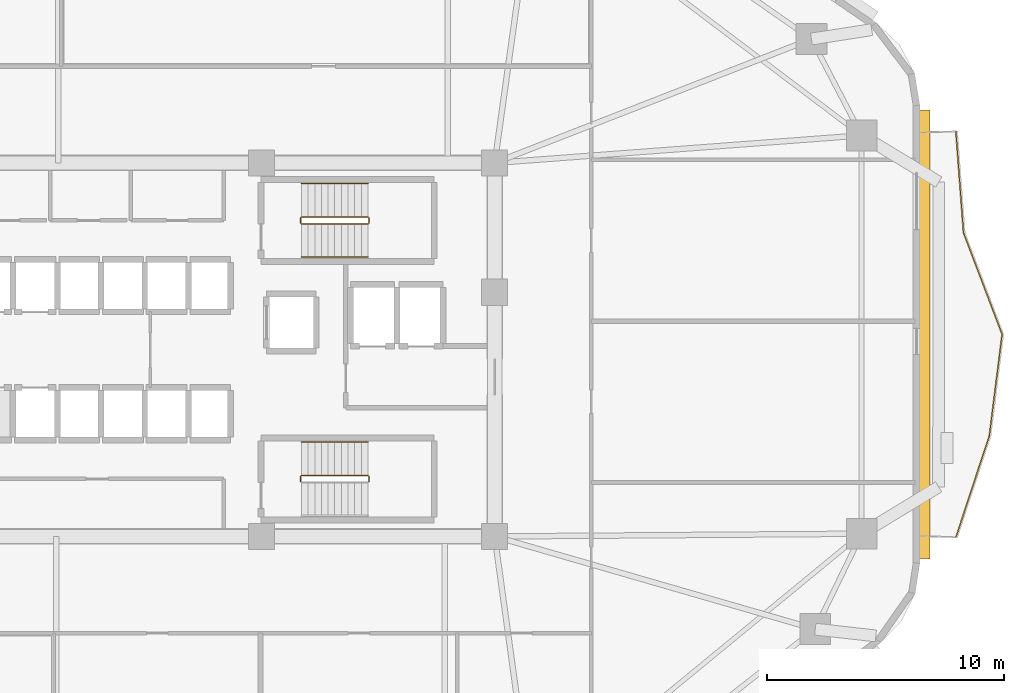
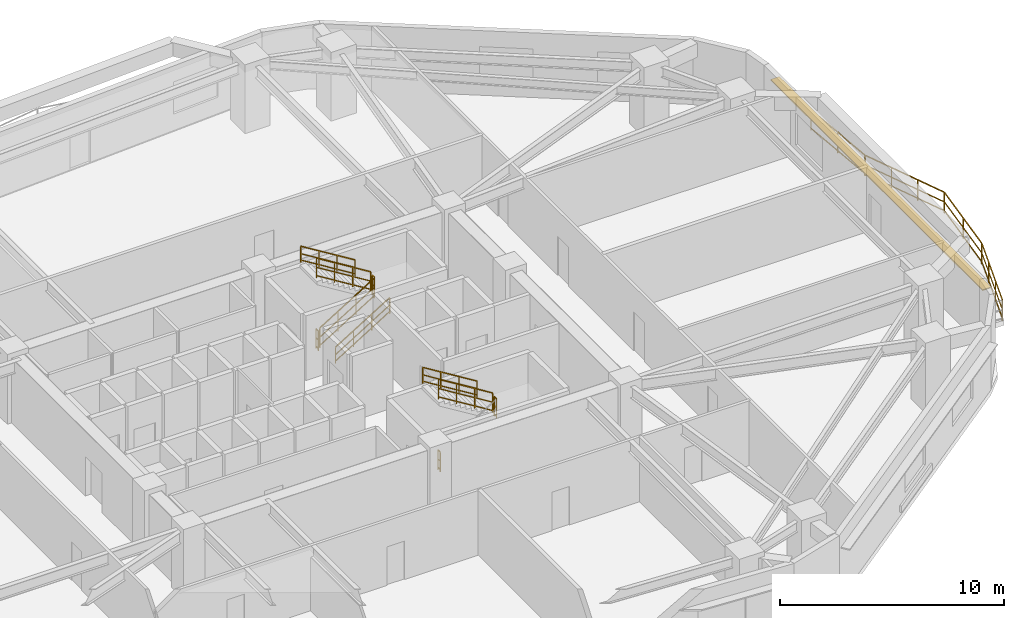
# One storey, part 8 of 10: 14 railings, 1 shading device.
"""IFC4 building model written with IfcOpenShell, lengths in metres."""

from ifc_helpers import new_model, si_unit, direction, frame, origin, origin_2d, place, context, subcontext, project, spatial, rectangle, extrude, material, layer, layer_set, type_object, element, save


model = new_model("IFC4")

# Units and contexts
model_context = context("Model", 3, precision=1e-05, world=origin(), true_north=direction((0.0, 1.0)))
body_context = subcontext(model_context, "Body", "Model", "MODEL_VIEW")
ifc_project = project(units=[si_unit("LENGTHUNIT", "METRE"), si_unit("AREAUNIT", "SQUARE_METRE"), si_unit("VOLUMEUNIT", "CUBIC_METRE"), si_unit("PLANEANGLEUNIT", "RADIAN"), si_unit("MASSUNIT", "GRAM", prefix="KILO")], contexts=[model_context])

# Site, building, storey
site_placement = place(None, origin())
site = spatial("IfcSite", under=ifc_project, at=site_placement, CompositionType="ELEMENT")
building_placement = place(site_placement, origin())
building = spatial("IfcBuilding", under=site, at=building_placement, Name="Zulverin Broadcast Headquarters", CompositionType="ELEMENT")
storey_placement = place(building_placement, frame((0.0, 0.0, 66.800048828125)))
storey = spatial("IfcBuildingStorey", under=building, at=storey_placement, Name="L16", CompositionType="ELEMENT", Elevation=66.800048828125)

# Railings
ifc_material_1 = material(Name="Brushed stainless steel & laminated glass balustrade", Category="steel")
railing_type_1 = type_object("IfcRailingType", Name="RL-GUARD-1150", PredefinedType="GUARDRAIL", material=ifc_material_1)
railing_1_placement = place(storey_placement, frame((67.724609375, 17.297607421875, 0.0)))
element("IfcRailing", 1, at=railing_1_placement, inside=storey, type_object=railing_type_1, Name="L16 Vertical-Forest Balcony Guardrail BAL_E Segment 02", PredefinedType="GUARDRAIL", context=body_context, shape_type="SweptSolid", body=[
    extrude(rectangle(XDim=0.048095703125, YDim=0.048095703125, at=origin_2d()), frame((0.0, 0.0, 1.1259765625), z_axis=(0.312955712624, 0.949767719991, 0.0), x_axis=(-0.949767719991, 0.312955712624, 0.0)), (0.0, 0.0, 1.0), 4.4794921875),
    extrude(rectangle(XDim=0.0419921875, YDim=0.0419921875, at=origin_2d()), frame((0.0, 0.0, 0.597900390625), z_axis=(0.312955712624, 0.949767719991, 0.0), x_axis=(-0.949767719991, 0.312955712624, 0.0)), (0.0, 0.0, 1.0), 4.4794921875),
    extrude(rectangle(XDim=0.0419921875, YDim=0.0419921875, at=origin_2d()), frame((0.0, 0.0, 0.1201171875), z_axis=(0.312955712624, 0.949767719991, 0.0), x_axis=(-0.949767719991, 0.312955712624, 0.0)), (0.0, 0.0, 1.0), 4.4794921875),
    extrude(rectangle(XDim=0.0419921875, YDim=0.0419921875, at=origin_2d()), origin(), (0.0, 0.0, 1.0), 1.101806640625),
    extrude(rectangle(XDim=0.0419921875, YDim=0.0419921875, at=origin_2d()), frame((0.46728515625, 1.418212890625, 0.0)), (0.0, 0.0, 1.0), 1.101806640625),
    extrude(rectangle(XDim=0.0419921875, YDim=0.0419921875, at=origin_2d()), frame((0.9345703125, 2.836181640625, 0.0)), (0.0, 0.0, 1.0), 1.101806640625),
    extrude(rectangle(XDim=0.0419921875, YDim=0.0419921875, at=origin_2d()), frame((1.40185546875, 4.25439453125, 0.0)), (0.0, 0.0, 1.0), 1.101806640625),
])
railing_2_placement = place(storey_placement, frame((69.133056640625, 21.5810546875, 0.0)))
element("IfcRailing", 2, at=railing_2_placement, inside=storey, type_object=railing_type_1, Name="L16 Vertical-Forest Balcony Guardrail BAL_E Segment 03", PredefinedType="GUARDRAIL", context=body_context, shape_type="SweptSolid", body=[
    extrude(rectangle(XDim=0.048095703125, YDim=0.048095703125, at=origin_2d()), frame((0.0, 0.0, 1.1259765625), z_axis=(0.124847851321, 0.99217589873, 0.0), x_axis=(-0.99217589873, 0.124847851321, 0.0)), (0.0, 0.0, 1.0), 4.286376953125),
    extrude(rectangle(XDim=0.0419921875, YDim=0.0419921875, at=origin_2d()), frame((0.0, 0.0, 0.597900390625), z_axis=(0.124847851321, 0.99217589873, 0.0), x_axis=(-0.99217589873, 0.124847851321, 0.0)), (0.0, 0.0, 1.0), 4.286376953125),
    extrude(rectangle(XDim=0.0419921875, YDim=0.0419921875, at=origin_2d()), frame((0.0, 0.0, 0.1201171875), z_axis=(0.124847851321, 0.99217589873, 0.0), x_axis=(-0.99217589873, 0.124847851321, 0.0)), (0.0, 0.0, 1.0), 4.286376953125),
    extrude(rectangle(XDim=0.0419921875, YDim=0.0419921875, at=origin_2d()), origin(), (0.0, 0.0, 1.0), 1.101806640625),
    extrude(rectangle(XDim=0.0419921875, YDim=0.0419921875, at=origin_2d()), frame((0.267578125, 2.12646484375, 0.0)), (0.0, 0.0, 1.0), 1.101806640625),
    extrude(rectangle(XDim=0.0419921875, YDim=0.0419921875, at=origin_2d()), frame((0.53515625, 4.2529296875, 0.0)), (0.0, 0.0, 1.0), 1.101806640625),
])
railing_3_placement = place(storey_placement, frame((69.664794921875, 25.86279296875, 0.0)))
element("IfcRailing", 3, at=railing_3_placement, inside=storey, type_object=railing_type_1, Name="L16 Vertical-Forest Balcony Guardrail BAL_E Segment 04", PredefinedType="GUARDRAIL", context=body_context, shape_type="SweptSolid", body=[
    extrude(rectangle(XDim=0.048095703125, YDim=0.048095703125, at=origin_2d()), frame((0.0, 0.0, 1.1259765625), z_axis=(-0.35546893997, 0.934688093813, 0.0), x_axis=(-0.934688093813, -0.35546893997, 0.0)), (0.0, 0.0, 1.0), 4.55224609375),
    extrude(rectangle(XDim=0.0419921875, YDim=0.0419921875, at=origin_2d()), frame((0.0, 0.0, 0.597900390625), z_axis=(-0.35546893997, 0.934688093813, 0.0), x_axis=(-0.934688093813, -0.35546893997, 0.0)), (0.0, 0.0, 1.0), 4.55224609375),
    extrude(rectangle(XDim=0.0419921875, YDim=0.0419921875, at=origin_2d()), frame((0.0, 0.0, 0.1201171875), z_axis=(-0.35546893997, 0.934688093813, 0.0), x_axis=(-0.934688093813, -0.35546893997, 0.0)), (0.0, 0.0, 1.0), 4.55224609375),
    extrude(rectangle(XDim=0.0419921875, YDim=0.0419921875, at=origin_2d()), origin(), (0.0, 0.0, 1.0), 1.101806640625),
    extrude(rectangle(XDim=0.0419921875, YDim=0.0419921875, at=origin_2d()), frame((-0.539306640625, 1.418212890625, 0.0)), (0.0, 0.0, 1.0), 1.101806640625),
    extrude(rectangle(XDim=0.0419921875, YDim=0.0419921875, at=origin_2d()), frame((-1.078857421875, 2.836669921875, 0.0)), (0.0, 0.0, 1.0), 1.101806640625),
    extrude(rectangle(XDim=0.0419921875, YDim=0.0419921875, at=origin_2d()), frame((-1.6181640625, 4.2548828125, 0.0)), (0.0, 0.0, 1.0), 1.101806640625),
])
railing_4_placement = place(storey_placement, frame((68.040283203125, 30.146728515625, 0.0)))
element("IfcRailing", 4, at=railing_4_placement, inside=storey, type_object=railing_type_1, Name="L16 Vertical-Forest Balcony Guardrail BAL_E Segment 05", PredefinedType="GUARDRAIL", context=body_context, shape_type="SweptSolid", body=[
    extrude(rectangle(XDim=0.048095703125, YDim=0.048095703125, at=origin_2d()), frame((0.0, 0.0, 1.1259765625), z_axis=(-0.074822681477, 0.997196854356, 0.0), x_axis=(-0.997196854356, -0.074822681477, 0.0)), (0.0, 0.0, 1.0), 4.2646484375),
    extrude(rectangle(XDim=0.0419921875, YDim=0.0419921875, at=origin_2d()), frame((0.0, 0.0, 0.597900390625), z_axis=(-0.074822681477, 0.997196854356, 0.0), x_axis=(-0.997196854356, -0.074822681477, 0.0)), (0.0, 0.0, 1.0), 4.2646484375),
    extrude(rectangle(XDim=0.0419921875, YDim=0.0419921875, at=origin_2d()), frame((0.0, 0.0, 0.1201171875), z_axis=(-0.074822681477, 0.997196854356, 0.0), x_axis=(-0.997196854356, -0.074822681477, 0.0)), (0.0, 0.0, 1.0), 4.2646484375),
    extrude(rectangle(XDim=0.0419921875, YDim=0.0419921875, at=origin_2d()), origin(), (0.0, 0.0, 1.0), 1.101806640625),
    extrude(rectangle(XDim=0.0419921875, YDim=0.0419921875, at=origin_2d()), frame((-0.15966796875, 2.12646484375, 0.0)), (0.0, 0.0, 1.0), 1.101806640625),
    extrude(rectangle(XDim=0.0419921875, YDim=0.0419921875, at=origin_2d()), frame((-0.319091796875, 4.252685546875, 0.0)), (0.0, 0.0, 1.0), 1.101806640625),
])
ifc_material_2 = material(Name="Painted galvanized steel tubular guardrail S355JR", Category="steel")
railing_type_2 = type_object("IfcRailingType", Name="RL-ST-GUARD", PredefinedType="GUARDRAIL", material=ifc_material_2)
railing_5_placement = place(storey_placement, frame((40.1298828125, 30.5, 0.172607421875)))
element("IfcRailing", 5, at=railing_5_placement, inside=storey, type_object=railing_type_2, Name="L16 ST-1 stair guard 1", PredefinedType="GUARDRAIL", context=body_context, shape_type="SweptSolid", body=[
    extrude(rectangle(XDim=0.048095703125, YDim=0.048095703125, at=origin_2d()), frame((0.0, 0.0, 1.076171875), z_axis=(0.851089632645, 0.0, 0.525020415988), x_axis=(0.0, 1.0, 0.0)), (0.0, 0.0, 1.0), 3.2900390625),
    extrude(rectangle(XDim=0.0419921875, YDim=0.0419921875, at=origin_2d()), frame((0.0, 0.0, 0.572021484375), z_axis=(0.851089632645, 0.0, 0.525020415988), x_axis=(0.0, 1.0, 0.0)), (0.0, 0.0, 1.0), 3.2900390625),
    extrude(rectangle(XDim=0.0419921875, YDim=0.0419921875, at=origin_2d()), frame((0.0, 0.0, 0.1201171875), z_axis=(0.851089632645, 0.0, 0.525020415988), x_axis=(0.0, 1.0, 0.0)), (0.0, 0.0, 1.0), 3.2900390625),
    extrude(rectangle(XDim=0.0419921875, YDim=0.0419921875, at=origin_2d()), origin(), (0.0, 0.0, 1.0), 1.052001953125),
    extrude(rectangle(XDim=0.0419921875, YDim=0.0419921875, at=origin_2d()), frame((0.933349609375, 0.0, 0.57568359375)), (0.0, 0.0, 1.0), 1.052001953125),
    extrude(rectangle(XDim=0.0419921875, YDim=0.0419921875, at=origin_2d()), frame((1.86669921875, 0.0, 1.151611328125)), (0.0, 0.0, 1.0), 1.052001953125),
    extrude(rectangle(XDim=0.0419921875, YDim=0.0419921875, at=origin_2d()), frame((2.800048828125, 0.0, 1.727294921875)), (0.0, 0.0, 1.0), 1.052001953125),
])
railing_6_placement = place(storey_placement, frame((42.97998046875, 30.550048828125, 1.89990234375)))
element("IfcRailing", 6, at=railing_6_placement, inside=storey, type_object=railing_type_2, Name="L16 ST-1 stair guard 2", PredefinedType="GUARDRAIL", context=body_context, shape_type="SweptSolid", body=[
    extrude(rectangle(XDim=0.048095703125, YDim=0.048095703125, at=origin_2d()), frame((0.0, 0.0, 1.076171875), z_axis=(0.0, 1.0, 0.0), x_axis=(-1.0, 0.0, 0.0)), (0.0, 0.0, 1.0), 0.199951171875),
    extrude(rectangle(XDim=0.0419921875, YDim=0.0419921875, at=origin_2d()), frame((0.0, 0.0, 0.572021484375), z_axis=(0.0, 1.0, 0.0), x_axis=(-1.0, 0.0, 0.0)), (0.0, 0.0, 1.0), 0.199951171875),
    extrude(rectangle(XDim=0.0419921875, YDim=0.0419921875, at=origin_2d()), frame((0.0, 0.0, 0.1201171875), z_axis=(0.0, 1.0, 0.0), x_axis=(-1.0, 0.0, 0.0)), (0.0, 0.0, 1.0), 0.199951171875),
    extrude(rectangle(XDim=0.0419921875, YDim=0.0419921875, at=origin_2d()), origin(), (0.0, 0.0, 1.0), 1.052001953125),
    extrude(rectangle(XDim=0.0419921875, YDim=0.0419921875, at=origin_2d()), frame((0.0, 0.199951171875, 0.0)), (0.0, 0.0, 1.0), 1.052001953125),
])
railing_7_placement = place(storey_placement, frame((42.929931640625, 30.800048828125, 2.07275390625)))
element("IfcRailing", 7, at=railing_7_placement, inside=storey, type_object=railing_type_2, Name="L16 ST-1 stair guard 3", PredefinedType="GUARDRAIL", context=body_context, shape_type="SweptSolid", body=[
    extrude(rectangle(XDim=0.048095703125, YDim=0.048095703125, at=origin_2d()), frame((0.0, 0.0, 1.076171875), z_axis=(-0.851089632645, 0.0, 0.525020415988), x_axis=(0.0, -1.0, 0.0)), (0.0, 0.0, 1.0), 3.2900390625),
    extrude(rectangle(XDim=0.0419921875, YDim=0.0419921875, at=origin_2d()), frame((0.0, 0.0, 0.572021484375), z_axis=(-0.851089632645, 0.0, 0.525020415988), x_axis=(0.0, -1.0, 0.0)), (0.0, 0.0, 1.0), 3.2900390625),
    extrude(rectangle(XDim=0.0419921875, YDim=0.0419921875, at=origin_2d()), frame((0.0, 0.0, 0.1201171875), z_axis=(-0.851089632645, 0.0, 0.525020415988), x_axis=(0.0, -1.0, 0.0)), (0.0, 0.0, 1.0), 3.2900390625),
    extrude(rectangle(XDim=0.0419921875, YDim=0.0419921875, at=origin_2d()), origin(), (0.0, 0.0, 1.0), 1.052001953125),
    extrude(rectangle(XDim=0.0419921875, YDim=0.0419921875, at=origin_2d()), frame((-0.933349609375, 0.0, 0.57568359375)), (0.0, 0.0, 1.0), 1.052001953125),
    extrude(rectangle(XDim=0.0419921875, YDim=0.0419921875, at=origin_2d()), frame((-1.86669921875, 0.0, 1.151611328125)), (0.0, 0.0, 1.0), 1.052001953125),
    extrude(rectangle(XDim=0.0419921875, YDim=0.0419921875, at=origin_2d()), frame((-2.800048828125, 0.0, 1.727294921875)), (0.0, 0.0, 1.0), 1.052001953125),
])
railing_8_placement = place(storey_placement, frame((40.080078125, 30.550048828125, 0.0)))
element("IfcRailing", 8, at=railing_8_placement, inside=storey, type_object=railing_type_2, Name="L16 ST-1 stair guard 4", PredefinedType="GUARDRAIL", context=body_context, shape_type="SweptSolid", body=[
    extrude(rectangle(XDim=0.048095703125, YDim=0.048095703125, at=origin_2d()), frame((0.0, 0.0, 1.076171875), z_axis=(0.0, 1.0, 0.0), x_axis=(-1.0, 0.0, 0.0)), (0.0, 0.0, 1.0), 0.199951171875),
    extrude(rectangle(XDim=0.0419921875, YDim=0.0419921875, at=origin_2d()), frame((0.0, 0.0, 0.572021484375), z_axis=(0.0, 1.0, 0.0), x_axis=(-1.0, 0.0, 0.0)), (0.0, 0.0, 1.0), 0.199951171875),
    extrude(rectangle(XDim=0.0419921875, YDim=0.0419921875, at=origin_2d()), frame((0.0, 0.0, 0.1201171875), z_axis=(0.0, 1.0, 0.0), x_axis=(-1.0, 0.0, 0.0)), (0.0, 0.0, 1.0), 0.199951171875),
    extrude(rectangle(XDim=0.0419921875, YDim=0.0419921875, at=origin_2d()), origin(), (0.0, 0.0, 1.0), 1.052001953125),
    extrude(rectangle(XDim=0.0419921875, YDim=0.0419921875, at=origin_2d()), frame((0.0, 0.199951171875, 0.0)), (0.0, 0.0, 1.0), 1.052001953125),
])
railing_9_placement = place(storey_placement, frame((42.97998046875, 19.64990234375, 1.89990234375)))
element("IfcRailing", 9, at=railing_9_placement, inside=storey, type_object=railing_type_2, Name="L16 ST-2 stair guard 2", PredefinedType="GUARDRAIL", context=body_context, shape_type="SweptSolid", body=[
    extrude(rectangle(XDim=0.048095703125, YDim=0.048095703125, at=origin_2d()), frame((0.0, 0.0, 1.076171875), z_axis=(0.0, 1.0, 0.0), x_axis=(-1.0, 0.0, 0.0)), (0.0, 0.0, 1.0), 0.2001953125),
    extrude(rectangle(XDim=0.0419921875, YDim=0.0419921875, at=origin_2d()), frame((0.0, 0.0, 0.572021484375), z_axis=(0.0, 1.0, 0.0), x_axis=(-1.0, 0.0, 0.0)), (0.0, 0.0, 1.0), 0.2001953125),
    extrude(rectangle(XDim=0.0419921875, YDim=0.0419921875, at=origin_2d()), frame((0.0, 0.0, 0.1201171875), z_axis=(0.0, 1.0, 0.0), x_axis=(-1.0, 0.0, 0.0)), (0.0, 0.0, 1.0), 0.2001953125),
    extrude(rectangle(XDim=0.0419921875, YDim=0.0419921875, at=origin_2d()), origin(), (0.0, 0.0, 1.0), 1.052001953125),
    extrude(rectangle(XDim=0.0419921875, YDim=0.0419921875, at=origin_2d()), frame((0.0, 0.2001953125, 0.0)), (0.0, 0.0, 1.0), 1.052001953125),
])
railing_10_placement = place(storey_placement, frame((42.929931640625, 19.89990234375, 2.07275390625)))
element("IfcRailing", 10, at=railing_10_placement, inside=storey, type_object=railing_type_2, Name="L16 ST-2 stair guard 3", PredefinedType="GUARDRAIL", context=body_context, shape_type="SweptSolid", body=[
    extrude(rectangle(XDim=0.048095703125, YDim=0.048095703125, at=origin_2d()), frame((0.0, 0.0, 1.076171875), z_axis=(-0.851089632645, 0.0, 0.525020415988), x_axis=(0.0, -1.0, 0.0)), (0.0, 0.0, 1.0), 3.2900390625),
    extrude(rectangle(XDim=0.0419921875, YDim=0.0419921875, at=origin_2d()), frame((0.0, 0.0, 0.572021484375), z_axis=(-0.851089632645, 0.0, 0.525020415988), x_axis=(0.0, -1.0, 0.0)), (0.0, 0.0, 1.0), 3.2900390625),
    extrude(rectangle(XDim=0.0419921875, YDim=0.0419921875, at=origin_2d()), frame((0.0, 0.0, 0.1201171875), z_axis=(-0.851089632645, 0.0, 0.525020415988), x_axis=(0.0, -1.0, 0.0)), (0.0, 0.0, 1.0), 3.2900390625),
    extrude(rectangle(XDim=0.0419921875, YDim=0.0419921875, at=origin_2d()), origin(), (0.0, 0.0, 1.0), 1.052001953125),
    extrude(rectangle(XDim=0.0419921875, YDim=0.0419921875, at=origin_2d()), frame((-0.933349609375, 0.0, 0.57568359375)), (0.0, 0.0, 1.0), 1.052001953125),
    extrude(rectangle(XDim=0.0419921875, YDim=0.0419921875, at=origin_2d()), frame((-1.86669921875, 0.0, 1.151611328125)), (0.0, 0.0, 1.0), 1.052001953125),
    extrude(rectangle(XDim=0.0419921875, YDim=0.0419921875, at=origin_2d()), frame((-2.800048828125, 0.0, 1.727294921875)), (0.0, 0.0, 1.0), 1.052001953125),
])
railing_11_placement = place(storey_placement, frame((40.080078125, 19.64990234375, 0.0)))
element("IfcRailing", 11, at=railing_11_placement, inside=storey, type_object=railing_type_2, Name="L16 ST-2 stair guard 4", PredefinedType="GUARDRAIL", context=body_context, shape_type="SweptSolid", body=[
    extrude(rectangle(XDim=0.048095703125, YDim=0.048095703125, at=origin_2d()), frame((0.0, 0.0, 1.076171875), z_axis=(0.0, 1.0, 0.0), x_axis=(-1.0, 0.0, 0.0)), (0.0, 0.0, 1.0), 0.2001953125),
    extrude(rectangle(XDim=0.0419921875, YDim=0.0419921875, at=origin_2d()), frame((0.0, 0.0, 0.572021484375), z_axis=(0.0, 1.0, 0.0), x_axis=(-1.0, 0.0, 0.0)), (0.0, 0.0, 1.0), 0.2001953125),
    extrude(rectangle(XDim=0.0419921875, YDim=0.0419921875, at=origin_2d()), frame((0.0, 0.0, 0.1201171875), z_axis=(0.0, 1.0, 0.0), x_axis=(-1.0, 0.0, 0.0)), (0.0, 0.0, 1.0), 0.2001953125),
    extrude(rectangle(XDim=0.0419921875, YDim=0.0419921875, at=origin_2d()), origin(), (0.0, 0.0, 1.0), 1.052001953125),
    extrude(rectangle(XDim=0.0419921875, YDim=0.0419921875, at=origin_2d()), frame((0.0, 0.2001953125, 0.0)), (0.0, 0.0, 1.0), 1.052001953125),
])
ifc_material_3 = material(Name="Brushed stainless steel 48 mm handrail", Category="steel")
railing_type_3 = type_object("IfcRailingType", Name="RL-ST-HAND", PredefinedType="HANDRAIL", material=ifc_material_3)
railing_12_placement = place(storey_placement, frame((40.1298828125, 29.10009765625, 0.172607421875)))
element("IfcRailing", 12, at=railing_12_placement, inside=storey, type_object=railing_type_3, Name="L16 ST-1 stair handrail 1", PredefinedType="HANDRAIL", context=body_context, shape_type="SweptSolid", body=[
    extrude(rectangle(XDim=0.048095703125, YDim=0.048095703125, at=origin_2d()), frame((0.0, 0.0, 0.8759765625), z_axis=(0.851089632645, 0.0, 0.525020415988), x_axis=(0.0, 1.0, 0.0)), (0.0, 0.0, 1.0), 3.2900390625),
    extrude(rectangle(XDim=0.0419921875, YDim=0.0419921875, at=origin_2d()), frame((0.0, 0.0, 0.468017578125), z_axis=(0.851089632645, 0.0, 0.525020415988), x_axis=(0.0, 1.0, 0.0)), (0.0, 0.0, 1.0), 3.2900390625),
    extrude(rectangle(XDim=0.0419921875, YDim=0.0419921875, at=origin_2d()), frame((0.0, 0.0, 0.1201171875), z_axis=(0.851089632645, 0.0, 0.525020415988), x_axis=(0.0, 1.0, 0.0)), (0.0, 0.0, 1.0), 3.2900390625),
    extrude(rectangle(XDim=0.0419921875, YDim=0.0419921875, at=origin_2d()), origin(), (0.0, 0.0, 1.0), 0.851806640625),
    extrude(rectangle(XDim=0.0419921875, YDim=0.0419921875, at=origin_2d()), frame((0.933349609375, 0.0, 0.57568359375)), (0.0, 0.0, 1.0), 0.851806640625),
    extrude(rectangle(XDim=0.0419921875, YDim=0.0419921875, at=origin_2d()), frame((1.86669921875, 0.0, 1.151611328125)), (0.0, 0.0, 1.0), 0.851806640625),
    extrude(rectangle(XDim=0.0419921875, YDim=0.0419921875, at=origin_2d()), frame((2.800048828125, 0.0, 1.727294921875)), (0.0, 0.0, 1.0), 0.851806640625),
])
for number, where, name in (
    (13, (42.929931640625, 32.199951171875, 2.07275390625), "L16 ST-1 stair handrail 2"),
    (14, (42.929931640625, 21.300048828125, 2.07275390625), "L16 ST-2 stair handrail 2"),
):
    element("IfcRailing", number, at=place(storey_placement, frame(where)), inside=storey, type_object=railing_type_3, Name=name, PredefinedType="HANDRAIL", context=body_context, shape_type="SweptSolid", body=[
        extrude(rectangle(XDim=0.048095703125, YDim=0.048095703125, at=origin_2d()), frame((0.0, 0.0, 0.8759765625), z_axis=(-0.851089632645, 0.0, 0.525020415988), x_axis=(0.0, -1.0, 0.0)), (0.0, 0.0, 1.0), 3.2900390625),
        extrude(rectangle(XDim=0.0419921875, YDim=0.0419921875, at=origin_2d()), frame((0.0, 0.0, 0.468017578125), z_axis=(-0.851089632645, 0.0, 0.525020415988), x_axis=(0.0, -1.0, 0.0)), (0.0, 0.0, 1.0), 3.2900390625),
        extrude(rectangle(XDim=0.0419921875, YDim=0.0419921875, at=origin_2d()), frame((0.0, 0.0, 0.1201171875), z_axis=(-0.851089632645, 0.0, 0.525020415988), x_axis=(0.0, -1.0, 0.0)), (0.0, 0.0, 1.0), 3.2900390625),
        extrude(rectangle(XDim=0.0419921875, YDim=0.0419921875, at=origin_2d()), origin(), (0.0, 0.0, 1.0), 0.851806640625),
        extrude(rectangle(XDim=0.0419921875, YDim=0.0419921875, at=origin_2d()), frame((-0.933349609375, 0.0, 0.57568359375)), (0.0, 0.0, 1.0), 0.851806640625),
        extrude(rectangle(XDim=0.0419921875, YDim=0.0419921875, at=origin_2d()), frame((-1.86669921875, 0.0, 1.151611328125)), (0.0, 0.0, 1.0), 0.851806640625),
        extrude(rectangle(XDim=0.0419921875, YDim=0.0419921875, at=origin_2d()), frame((-2.800048828125, 0.0, 1.727294921875)), (0.0, 0.0, 1.0), 0.851806640625),
    ])

# Shading device
ifc_material_4 = material(Name="Anodized pale-metal aluminium sunshade", Category="aluminium")
ifc_layer = layer(ifc_material_4, 0.06005859375, Name="Anodized pale-metal aluminium sunshade", Category="aluminium")
ifc_layer_set = layer_set([ifc_layer], Name="Anodized pale-metal aluminium sunshade")
shading_device_type = type_object("IfcShadingDeviceType", Name="SS-01_PALE_METAL_ALUMINIUM_SUNSHADE", PredefinedType="USERDEFINED", material=ifc_layer_set)
shading_device_placement = place(storey_placement, frame((66.39990234375, 25.848876953125, 2.7099609375), z_axis=(0.0, 0.0, 1.0), x_axis=(0.0, 1.0, 0.0)))
element("IfcShadingDevice", 15, at=shading_device_placement, inside=storey, type_object=shading_device_type, Name="L16 Horizontal Pale-Metal Sunshade Band 3", ObjectType="SUNSHADE", PredefinedType="USERDEFINED", context=body_context, shape_type="SweptSolid", body=[
    extrude(rectangle(XDim=18.93115234375, YDim=0.449951171875, at=origin_2d()), origin(), (0.0, 0.0, 1.0), 0.06005859375),
])

save(model, "model.ifc")
